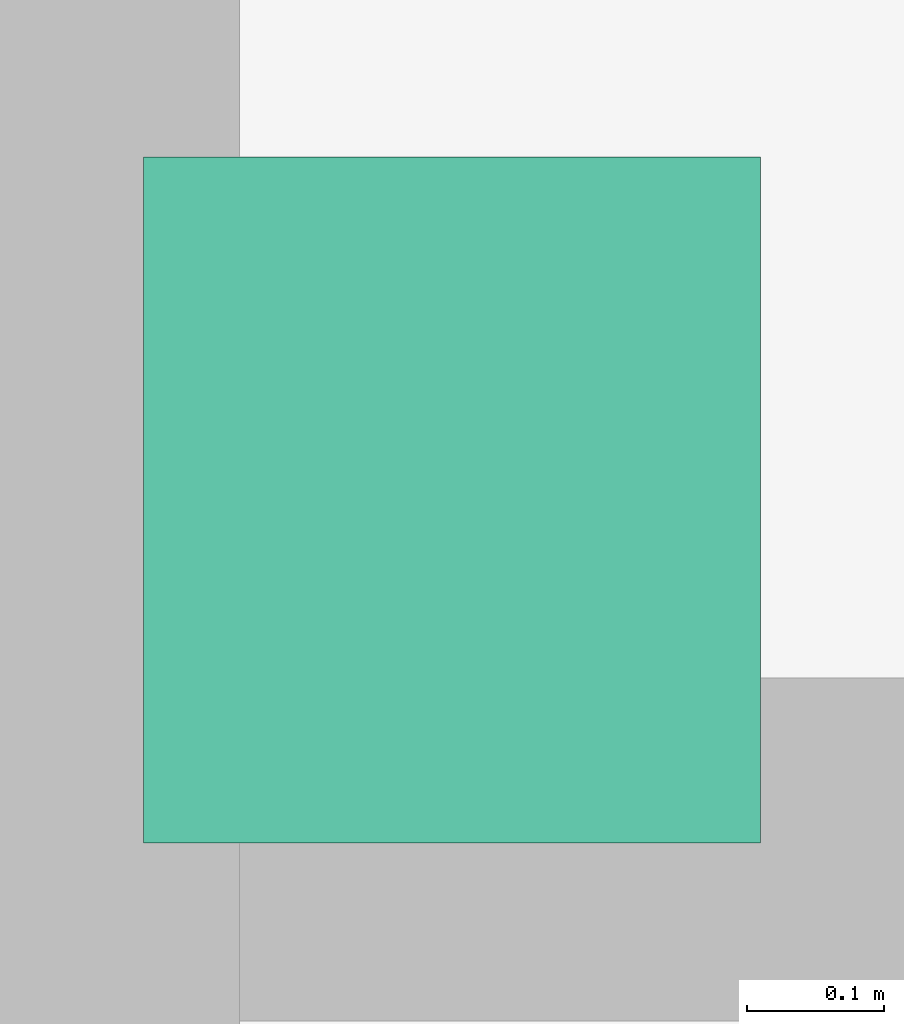
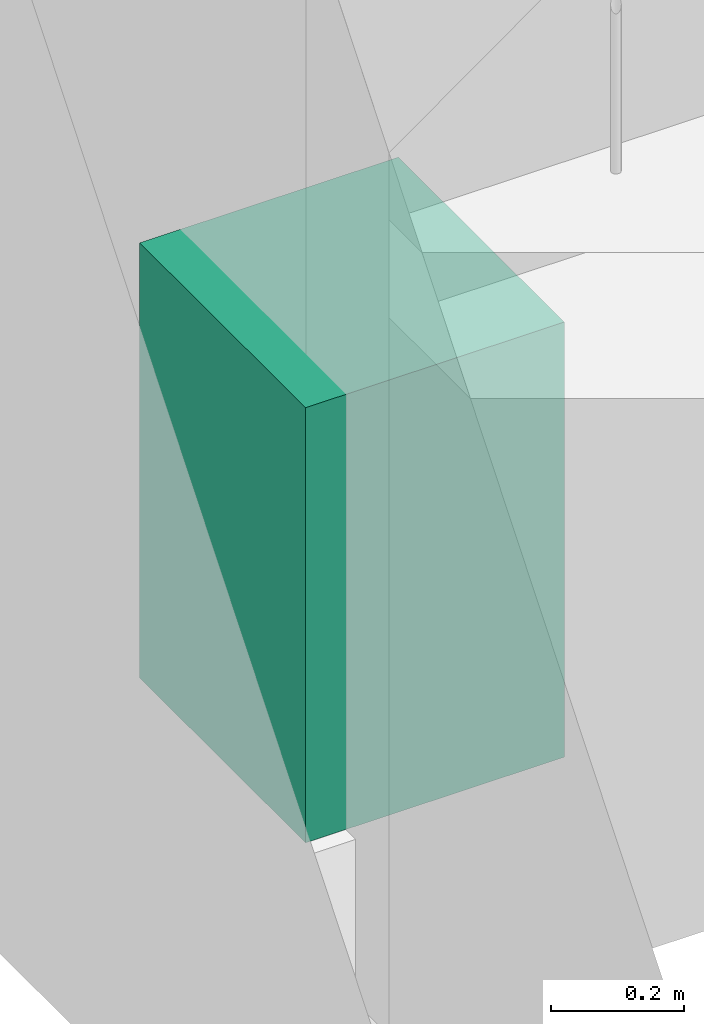
# One storey, part 13 of 13: 1 sanitary terminal.
"""IFC4 building model written with IfcOpenShell, lengths in metres."""

from ifc_helpers import new_model, si_unit, direction, frame, origin, origin_2d, place, context, subcontext, project, spatial, rectangle, extrude, material, type_object, element, save


model = new_model("IFC4")

# Units and contexts
model_context = context("Model", 3, precision=1e-05, world=origin(), true_north=direction((0.0, 1.0)))
body_context = subcontext(model_context, "Body", "Model", "MODEL_VIEW")
ifc_project = project(units=[si_unit("LENGTHUNIT", "METRE"), si_unit("AREAUNIT", "SQUARE_METRE"), si_unit("VOLUMEUNIT", "CUBIC_METRE"), si_unit("PLANEANGLEUNIT", "RADIAN"), si_unit("MASSUNIT", "GRAM", prefix="KILO")], contexts=[model_context])

# Site, building, storey
site_placement = place(None, origin())
site = spatial("IfcSite", under=ifc_project, at=site_placement, CompositionType="ELEMENT")
building_placement = place(site_placement, origin())
building = spatial("IfcBuilding", under=site, at=building_placement, Name="Rulbaag Community and Learning Centre", CompositionType="ELEMENT")
storey_placement = place(building_placement, frame((0.0, 0.0, -4.800048828125)))
storey = spatial("IfcBuildingStorey", under=building, at=storey_placement, Name="B1", CompositionType="ELEMENT", Elevation=-4.800048828125)

# Sanitary terminal
ifc_material = material(Name="Stainless steel", Category="steel")
sanitary_terminal_type = type_object("IfcSanitaryTerminalType", Name="SK-CL-500", PredefinedType="SINK", material=ifc_material)
sanitary_terminal_placement = place(storey_placement, frame((143.155029296875, 100.3798828125, 0.0), z_axis=(0.0, 0.0, 1.0), x_axis=(1.0, 0.0, 0.0)))
element("IfcSanitaryTerminal", 1, at=sanitary_terminal_placement, inside=storey, type_object=sanitary_terminal_type, Name="Sink 02", PredefinedType="SINK", context=body_context, shape_type="SweptSolid", body=[
    extrude(rectangle(XDim=0.449951171875, YDim=0.5, at=origin_2d()), origin(), (0.0, 0.0, 1.0), 0.800048828125),
])

save(model, "model.ifc")
